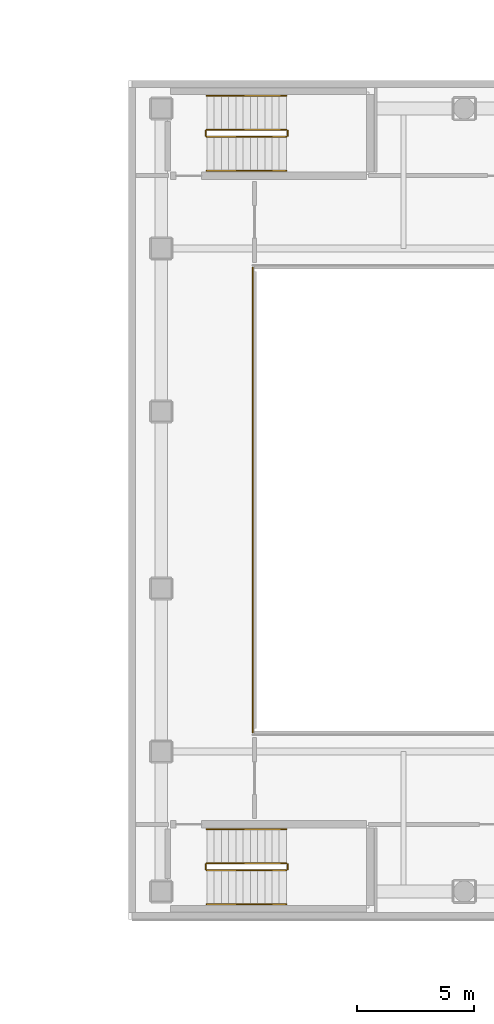
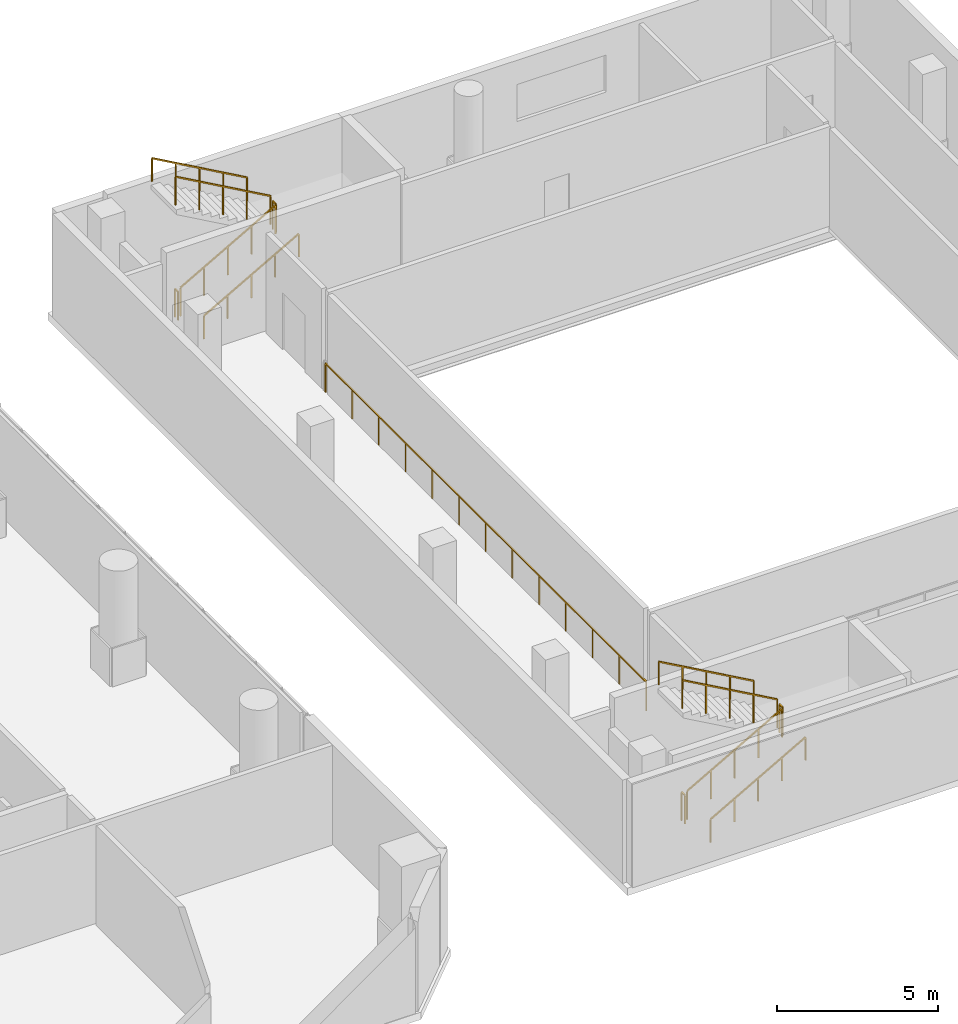
# One storey, part 21 of 22: 13 railings.
"""IFC4 building model written with IfcOpenShell, lengths in metres."""

import ifcopenshell
import ifcopenshell.guid

model = None  # the IFC model being written
_history = None  # IfcOwnerHistory: only IFC2X3 demands one
_inside = {}  # id of a spatial element -> (the spatial element, [elements in it])
_under = {}  # id of a project, library or spatial element -> (it, [spatial elements below it])
_declared = {}  # id of a project -> (the project, [libraries it declares])
_typed = {}  # id of a type object -> (the type object, [elements of that type])
_made_of = {}  # id of a material, layer set ... -> (it, [elements and type objects made of it])


def new_model(schema):
    """Start an empty IFC model of exactly this schema.

    Asked for "IFC4X3", IfcOpenShell would pick the latest addendum, in which some entities
    have other attributes; the version numbers below select the first issue.
    IFC2X3 requires an IfcOwnerHistory on every rooted entity: one is made here for all.
    """
    global model, _history
    if schema == "IFC4X3":
        model = ifcopenshell.file(schema_version=(4, 3, 0, 0))
    else:
        model = ifcopenshell.file(schema=schema)
    _inside.clear()
    _under.clear()
    _declared.clear()
    _typed.clear()
    _made_of.clear()
    _history = None
    if model.schema == "IFC2X3":
        org = make("IfcOrganization", Name="unknown")
        user = make(
            "IfcPersonAndOrganization",
            ThePerson=make("IfcPerson", FamilyName="unknown"),
            TheOrganization=org,
        )
        app = make(
            "IfcApplication",
            ApplicationDeveloper=org,
            Version="unknown",
            ApplicationFullName="unknown",
            ApplicationIdentifier="unknown",
        )
        _history = make(
            "IfcOwnerHistory",
            OwningUser=user,
            OwningApplication=app,
            ChangeAction="ADDED",
            CreationDate=0,
        )
    return model


def make(cls, **values):
    """One entity of the class cls with the attributes given. An attribute that is None is left unset."""
    return model.create_entity(
        cls, **{name: value for name, value in values.items() if value is not None}
    )


def rooted(cls, **values):
    """An entity with a GlobalId (a new one), such as an element, a storey or a relation."""
    return make(cls, GlobalId=ifcopenshell.guid.new(), OwnerHistory=_history, **values)


def si_unit(unit_type, name, prefix=None):
    """IfcSIUnit, for example si_unit("LENGTHUNIT", "METRE", prefix="MILLI")."""
    return make("IfcSIUnit", UnitType=unit_type, Prefix=prefix, Name=name)


def assignment(units):
    """IfcUnitAssignment: the units of a project."""
    return None if units is None else make("IfcUnitAssignment", Units=units)


def point(xyz):
    """IfcCartesianPoint."""
    return None if xyz is None else make("IfcCartesianPoint", Coordinates=xyz)


def direction(xyz):
    """IfcDirection."""
    return None if xyz is None else make("IfcDirection", DirectionRatios=xyz)


def frame(location, z_axis=None, x_axis=None):
    """IfcAxis2Placement3D, a coordinate frame: its origin and axes. An axis left out is left unset."""
    return make(
        "IfcAxis2Placement3D",
        Location=point(location),
        Axis=direction(z_axis),
        RefDirection=direction(x_axis),
    )


def frame_2d(location, x_axis=None):
    """IfcAxis2Placement2D, a coordinate frame in the plane: its origin and x axis."""
    return make(
        "IfcAxis2Placement2D", Location=point(location), RefDirection=direction(x_axis)
    )


def origin():
    """The frame at (0, 0, 0) with its axes left unset."""
    return frame((0.0, 0.0, 0.0))


def origin_2d():
    """The frame at (0, 0) in the plane with its x axis left unset."""
    return frame_2d((0.0, 0.0))


def place(relative_to, where):
    """IfcLocalPlacement: puts the frame where relative to a parent placement (None: the world)."""
    return make(
        "IfcLocalPlacement", PlacementRelTo=relative_to, RelativePlacement=where
    )


def context(
    kind, dimensions, precision=None, world=None, true_north=None, identifier=None
):
    """IfcGeometricRepresentationContext, for example the 3D "Model" context."""
    return make(
        "IfcGeometricRepresentationContext",
        ContextIdentifier=identifier,
        ContextType=kind,
        CoordinateSpaceDimension=dimensions,
        Precision=precision,
        WorldCoordinateSystem=world,
        TrueNorth=true_north,
    )


def subcontext(parent, identifier, kind, view, scale=None):
    """IfcGeometricRepresentationSubContext, for example "Body" below "Model"."""
    return make(
        "IfcGeometricRepresentationSubContext",
        ContextIdentifier=identifier,
        ContextType=kind,
        ParentContext=parent,
        TargetScale=scale,
        TargetView=view,
    )


def project(units=None, contexts=None):
    """IfcProject with its units and contexts."""
    return rooted(
        "IfcProject",
        Name="project",
        RepresentationContexts=contexts,
        UnitsInContext=assignment(units),
    )


def spatial(cls, under=None, at=None, **own):
    """A site, building, storey or space (cls), placed at a placement, below another one or the project."""
    s = rooted(cls, ObjectPlacement=at, **own)
    if under is not None:
        _under.setdefault(under.id(), (under, []))[1].append(s)
    return s


def profile(cls, at=None, kind="AREA", **sizes):
    """A parametric profile (cls). Its sizes go by their IFC names, for example OverallWidth=200.0."""
    return make(cls, ProfileType=kind, Position=at, **sizes)


def rectangle(**sizes):
    """IfcRectangleProfileDef."""
    return profile("IfcRectangleProfileDef", **sizes)


def extrude(swept, where, along, depth):
    """IfcExtrudedAreaSolid: the profile swept, set in the frame where, extruded along a direction by depth."""
    return make(
        "IfcExtrudedAreaSolid",
        SweptArea=swept,
        Position=where,
        ExtrudedDirection=direction(along),
        Depth=depth,
    )


def shape(context_of_items, identifier, shape_type, items):
    """IfcShapeRepresentation: the items that make up one representation, for example the "Body"."""
    return make(
        "IfcShapeRepresentation",
        ContextOfItems=context_of_items,
        RepresentationIdentifier=identifier,
        RepresentationType=shape_type,
        Items=items,
    )


def material(Name=None, Category=None):
    """IfcMaterial."""
    return make("IfcMaterial", Name=Name, Category=Category)


def made_of(thing, what):
    """Note that an element or type object is made of a material, layer set ...; save() writes the relation."""
    if what is not None:
        _made_of.setdefault(what.id(), (what, []))[1].append(thing)
    return thing


def type_object(cls, material=None, **own):
    """A type object (cls), such as IfcWallType, which elements share."""
    return made_of(rooted(cls, **own), material)


def element(
    cls,
    number,
    at=None,
    inside=None,
    cuts=None,
    type_object=None,
    material=None,
    context=None,
    identifier="Body",
    shape_type=None,
    held_by="IfcProductDefinitionShape",
    body=None,
    shapes=None,
    **own,
):
    """One element of the class cls, such as IfcWall. Its Tag is "e" and its number.

    at: its placement. inside: the storey or other place that contains it. cuts: it is an
    opening in that element (IfcRelVoidsElement). A single representation is given by context,
    identifier, shape_type and body (its items); several are given by shapes. held_by: the class
    of the entity that holds the representations. save() writes the other relations.
    """
    e = rooted(cls, Tag="e%d" % number, ObjectPlacement=at, **own)
    if body is not None:
        shapes = [shape(context, identifier, shape_type, body)]
    if shapes is not None:
        e.Representation = make(held_by, Representations=shapes)
    if inside is not None:
        _inside.setdefault(inside.id(), (inside, []))[1].append(e)
    if cuts is not None:
        rooted(
            "IfcRelVoidsElement", RelatingBuildingElement=cuts, RelatedOpeningElement=e
        )
    if type_object is not None:
        _typed.setdefault(type_object.id(), (type_object, []))[1].append(e)
    return made_of(e, material)


def aggregate(whole, parts):
    """IfcRelAggregates: a whole, such as a stair, and the parts it consists of."""
    return rooted("IfcRelAggregates", RelatingObject=whole, RelatedObjects=parts)


def save(model, path):
    """Write the relations noted so far, then the file.

    IfcRelAggregates (storeys below a building ...), IfcRelContainedInSpatialStructure (elements
    in a storey), IfcRelDefinesByType, IfcRelAssociatesMaterial and IfcRelDeclares: one each for
    every whole, place, type object, material and project.
    """
    for whole, parts in _under.values():
        aggregate(whole, parts)
    for where, things in _inside.values():
        rooted(
            "IfcRelContainedInSpatialStructure",
            RelatedElements=things,
            RelatingStructure=where,
        )
    for kind, things in _typed.values():
        rooted("IfcRelDefinesByType", RelatedObjects=things, RelatingType=kind)
    for what, things in _made_of.values():
        rooted("IfcRelAssociatesMaterial", RelatedObjects=things, RelatingMaterial=what)
    for by, libraries in _declared.values():
        rooted("IfcRelDeclares", RelatingContext=by, RelatedDefinitions=libraries)
    model.write(path)


model = new_model("IFC4")

# Units and contexts
model_context = context("Model", 3, precision=1e-05, world=origin(), true_north=direction((0.0, 1.0)))
body_context = subcontext(model_context, "Body", "Model", "MODEL_VIEW")
ifc_project = project(units=[si_unit("LENGTHUNIT", "METRE"), si_unit("AREAUNIT", "SQUARE_METRE"), si_unit("VOLUMEUNIT", "CUBIC_METRE"), si_unit("PLANEANGLEUNIT", "RADIAN"), si_unit("MASSUNIT", "GRAM", prefix="KILO")], contexts=[model_context])

# Site, building, storey
site_placement = place(None, origin())
site = spatial("IfcSite", under=ifc_project, at=site_placement, CompositionType="ELEMENT")
building_placement = place(site_placement, origin())
building = spatial("IfcBuilding", under=site, at=building_placement, Name="Solanera Arch Residences", CompositionType="ELEMENT")
storey_placement = place(building_placement, frame((0.0, 0.0, 13.60009765625)))
storey = spatial("IfcBuildingStorey", under=building, at=storey_placement, Name="L03", CompositionType="ELEMENT", Elevation=13.60009765625)

# Railings
ifc_material_1 = material(Name="Steel S355 (ASTM A992 / A572 Grade 50)", Category="steel")
railing_type_1 = type_object("IfcRailingType", Name="Balustrade Railing BL-1100", PredefinedType="BALUSTRADE", material=ifc_material_1)
railing_1_placement = place(storey_placement, frame((59.719970703125, 40.56005859375, 0.0)))
element("IfcRailing", 1, at=railing_1_placement, inside=storey, type_object=railing_type_1, Name="L03 Sports Hall Court Void Guardrail W 1", PredefinedType="BALUSTRADE", context=body_context, shape_type="SweptSolid", body=[
    extrude(rectangle(XDim=0.048095703125, YDim=0.048095703125, at=origin_2d()), frame((0.0, 0.0, 1.09619140625), z_axis=(0.0, -1.0, 0.0), x_axis=(1.0, 0.0, 0.0)), (0.0, 0.0, 1.0), 19.920166015625),
    extrude(rectangle(XDim=0.0419921875, YDim=0.0419921875, at=origin_2d()), origin(), (0.0, 0.0, 1.0), 1.072021484375),
    extrude(rectangle(XDim=0.0419921875, YDim=0.0419921875, at=origin_2d()), frame((0.0, -1.659912109375, 0.0)), (0.0, 0.0, 1.0), 1.072021484375),
    extrude(rectangle(XDim=0.0419921875, YDim=0.0419921875, at=origin_2d()), frame((0.0, -3.320068359375, 0.0)), (0.0, 0.0, 1.0), 1.072021484375),
    extrude(rectangle(XDim=0.0419921875, YDim=0.0419921875, at=origin_2d()), frame((0.0, -4.97998046875, 0.0)), (0.0, 0.0, 1.0), 1.072021484375),
    extrude(rectangle(XDim=0.0419921875, YDim=0.0419921875, at=origin_2d()), frame((0.0, -6.64013671875, 0.0)), (0.0, 0.0, 1.0), 1.072021484375),
    extrude(rectangle(XDim=0.0419921875, YDim=0.0419921875, at=origin_2d()), frame((0.0, -8.300048828125, 0.0)), (0.0, 0.0, 1.0), 1.072021484375),
    extrude(rectangle(XDim=0.0419921875, YDim=0.0419921875, at=origin_2d()), frame((0.0, -9.9599609375, 0.0)), (0.0, 0.0, 1.0), 1.072021484375),
    extrude(rectangle(XDim=0.0419921875, YDim=0.0419921875, at=origin_2d()), frame((0.0, -11.6201171875, 0.0)), (0.0, 0.0, 1.0), 1.072021484375),
    extrude(rectangle(XDim=0.0419921875, YDim=0.0419921875, at=origin_2d()), frame((0.0, -13.280029296875, 0.0)), (0.0, 0.0, 1.0), 1.072021484375),
    extrude(rectangle(XDim=0.0419921875, YDim=0.0419921875, at=origin_2d()), frame((0.0, -14.940185546875, 0.0)), (0.0, 0.0, 1.0), 1.072021484375),
    extrude(rectangle(XDim=0.0419921875, YDim=0.0419921875, at=origin_2d()), frame((0.0, -16.60009765625, 0.0)), (0.0, 0.0, 1.0), 1.072021484375),
    extrude(rectangle(XDim=0.0419921875, YDim=0.0419921875, at=origin_2d()), frame((0.0, -18.26025390625, 0.0)), (0.0, 0.0, 1.0), 1.072021484375),
    extrude(rectangle(XDim=0.0419921875, YDim=0.0419921875, at=origin_2d()), frame((0.0, -19.920166015625, 0.0)), (0.0, 0.0, 1.0), 1.072021484375),
])
ifc_material_2 = material(Name="Steel S355 (ASTM A992 / A572 Grade 50)", Category="steel")
railing_type_2 = type_object("IfcRailingType", Name="Stair Guardrail GR-1100", PredefinedType="GUARDRAIL", material=ifc_material_2)
railing_2_placement = place(storey_placement, frame((57.760009765625, 14.7099609375, 0.159912109375)))
element("IfcRailing", 2, at=railing_2_placement, inside=storey, type_object=railing_type_2, Name="L03 ST-H1 stair guard 1", PredefinedType="GUARDRAIL", context=body_context, shape_type="SweptSolid", body=[
    extrude(rectangle(XDim=0.048095703125, YDim=0.048095703125, at=origin_2d()), frame((0.0, 0.0, 1.076171875), z_axis=(0.87081354652, 0.0, 0.491613432685), x_axis=(0.0, 1.0, 0.0)), (0.0, 0.0, 1.0), 3.915771484375),
    extrude(rectangle(XDim=0.0419921875, YDim=0.0419921875, at=origin_2d()), origin(), (0.0, 0.0, 1.0), 1.052001953125),
    extrude(rectangle(XDim=0.0419921875, YDim=0.0419921875, at=origin_2d()), frame((0.8525390625, 0.0, 0.481201171875)), (0.0, 0.0, 1.0), 1.052001953125),
    extrude(rectangle(XDim=0.0419921875, YDim=0.0419921875, at=origin_2d()), frame((1.705078125, 0.0, 0.96240234375)), (0.0, 0.0, 1.0), 1.052001953125),
    extrude(rectangle(XDim=0.0419921875, YDim=0.0419921875, at=origin_2d()), frame((2.557373046875, 0.0, 1.44384765625)), (0.0, 0.0, 1.0), 1.052001953125),
    extrude(rectangle(XDim=0.0419921875, YDim=0.0419921875, at=origin_2d()), frame((3.409912109375, 0.0, 1.925048828125)), (0.0, 0.0, 1.0), 1.052001953125),
])
railing_3_placement = place(storey_placement, frame((61.219970703125, 14.760009765625, 2.0849609375)))
element("IfcRailing", 3, at=railing_3_placement, inside=storey, type_object=railing_type_2, Name="L03 ST-H1 stair guard 2", PredefinedType="GUARDRAIL", context=body_context, shape_type="SweptSolid", body=[
    extrude(rectangle(XDim=0.048095703125, YDim=0.048095703125, at=origin_2d()), frame((0.0, 0.0, 1.076171875), z_axis=(0.0, 1.0, 0.0), x_axis=(-1.0, 0.0, 0.0)), (0.0, 0.0, 1.0), 0.199951171875),
    extrude(rectangle(XDim=0.0419921875, YDim=0.0419921875, at=origin_2d()), origin(), (0.0, 0.0, 1.0), 1.052001953125),
    extrude(rectangle(XDim=0.0419921875, YDim=0.0419921875, at=origin_2d()), frame((0.0, 0.199951171875, 0.0)), (0.0, 0.0, 1.0), 1.052001953125),
])
railing_4_placement = place(storey_placement, frame((61.169921875, 15.010009765625, 2.260009765625)))
element("IfcRailing", 4, at=railing_4_placement, inside=storey, type_object=railing_type_2, Name="L03 ST-H1 stair guard 3", PredefinedType="GUARDRAIL", context=body_context, shape_type="SweptSolid", body=[
    extrude(rectangle(XDim=0.048095703125, YDim=0.048095703125, at=origin_2d()), frame((0.0, 0.0, 1.076171875), z_axis=(-0.870840237431, 0.0, 0.491566151064), x_axis=(0.0, -1.0, 0.0)), (0.0, 0.0, 1.0), 3.915771484375),
    extrude(rectangle(XDim=0.0419921875, YDim=0.0419921875, at=origin_2d()), origin(), (0.0, 0.0, 1.0), 1.052001953125),
    extrude(rectangle(XDim=0.0419921875, YDim=0.0419921875, at=origin_2d()), frame((-0.8525390625, 0.0, 0.481201171875)), (0.0, 0.0, 1.0), 1.052001953125),
    extrude(rectangle(XDim=0.0419921875, YDim=0.0419921875, at=origin_2d()), frame((-1.705078125, 0.0, 0.96240234375)), (0.0, 0.0, 1.0), 1.052001953125),
    extrude(rectangle(XDim=0.0419921875, YDim=0.0419921875, at=origin_2d()), frame((-2.557373046875, 0.0, 1.443603515625)), (0.0, 0.0, 1.0), 1.052001953125),
    extrude(rectangle(XDim=0.0419921875, YDim=0.0419921875, at=origin_2d()), frame((-3.409912109375, 0.0, 1.9248046875)), (0.0, 0.0, 1.0), 1.052001953125),
])
railing_5_placement = place(storey_placement, frame((57.7099609375, 14.760009765625, -0.01513671875)))
element("IfcRailing", 5, at=railing_5_placement, inside=storey, type_object=railing_type_2, Name="L03 ST-H1 stair guard 4", PredefinedType="GUARDRAIL", context=body_context, shape_type="SweptSolid", body=[
    extrude(rectangle(XDim=0.048095703125, YDim=0.048095703125, at=origin_2d()), frame((0.0, 0.0, 1.076171875), z_axis=(0.0, 1.0, 0.0), x_axis=(-1.0, 0.0, 0.0)), (0.0, 0.0, 1.0), 0.199951171875),
    extrude(rectangle(XDim=0.0419921875, YDim=0.0419921875, at=origin_2d()), origin(), (0.0, 0.0, 1.0), 1.052001953125),
    extrude(rectangle(XDim=0.0419921875, YDim=0.0419921875, at=origin_2d()), frame((0.0, 0.199951171875, 0.0)), (0.0, 0.0, 1.0), 1.052001953125),
])
railing_6_placement = place(storey_placement, frame((57.760009765625, 46.18994140625, 0.159912109375)))
element("IfcRailing", 6, at=railing_6_placement, inside=storey, type_object=railing_type_2, Name="L03 ST-H2 stair guard 1", PredefinedType="GUARDRAIL", context=body_context, shape_type="SweptSolid", body=[
    extrude(rectangle(XDim=0.048095703125, YDim=0.048095703125, at=origin_2d()), frame((0.0, 0.0, 1.076171875), z_axis=(0.87081354652, 0.0, 0.491613432685), x_axis=(0.0, 1.0, 0.0)), (0.0, 0.0, 1.0), 3.915771484375),
    extrude(rectangle(XDim=0.0419921875, YDim=0.0419921875, at=origin_2d()), origin(), (0.0, 0.0, 1.0), 1.052001953125),
    extrude(rectangle(XDim=0.0419921875, YDim=0.0419921875, at=origin_2d()), frame((0.8525390625, 0.0, 0.481201171875)), (0.0, 0.0, 1.0), 1.052001953125),
    extrude(rectangle(XDim=0.0419921875, YDim=0.0419921875, at=origin_2d()), frame((1.705078125, 0.0, 0.96240234375)), (0.0, 0.0, 1.0), 1.052001953125),
    extrude(rectangle(XDim=0.0419921875, YDim=0.0419921875, at=origin_2d()), frame((2.557373046875, 0.0, 1.44384765625)), (0.0, 0.0, 1.0), 1.052001953125),
    extrude(rectangle(XDim=0.0419921875, YDim=0.0419921875, at=origin_2d()), frame((3.409912109375, 0.0, 1.925048828125)), (0.0, 0.0, 1.0), 1.052001953125),
])
railing_7_placement = place(storey_placement, frame((61.219970703125, 46.239990234375, 2.0849609375)))
element("IfcRailing", 7, at=railing_7_placement, inside=storey, type_object=railing_type_2, Name="L03 ST-H2 stair guard 2", PredefinedType="GUARDRAIL", context=body_context, shape_type="SweptSolid", body=[
    extrude(rectangle(XDim=0.048095703125, YDim=0.048095703125, at=origin_2d()), frame((0.0, 0.0, 1.076171875), z_axis=(0.0, 1.0, 0.0), x_axis=(-1.0, 0.0, 0.0)), (0.0, 0.0, 1.0), 0.199951171875),
    extrude(rectangle(XDim=0.0419921875, YDim=0.0419921875, at=origin_2d()), origin(), (0.0, 0.0, 1.0), 1.052001953125),
    extrude(rectangle(XDim=0.0419921875, YDim=0.0419921875, at=origin_2d()), frame((0.0, 0.199951171875, 0.0)), (0.0, 0.0, 1.0), 1.052001953125),
])
railing_8_placement = place(storey_placement, frame((61.169921875, 46.489990234375, 2.260009765625)))
element("IfcRailing", 8, at=railing_8_placement, inside=storey, type_object=railing_type_2, Name="L03 ST-H2 stair guard 3", PredefinedType="GUARDRAIL", context=body_context, shape_type="SweptSolid", body=[
    extrude(rectangle(XDim=0.048095703125, YDim=0.048095703125, at=origin_2d()), frame((0.0, 0.0, 1.076171875), z_axis=(-0.870840237431, 0.0, 0.491566151064), x_axis=(0.0, -1.0, 0.0)), (0.0, 0.0, 1.0), 3.915771484375),
    extrude(rectangle(XDim=0.0419921875, YDim=0.0419921875, at=origin_2d()), origin(), (0.0, 0.0, 1.0), 1.052001953125),
    extrude(rectangle(XDim=0.0419921875, YDim=0.0419921875, at=origin_2d()), frame((-0.8525390625, 0.0, 0.481201171875)), (0.0, 0.0, 1.0), 1.052001953125),
    extrude(rectangle(XDim=0.0419921875, YDim=0.0419921875, at=origin_2d()), frame((-1.705078125, 0.0, 0.96240234375)), (0.0, 0.0, 1.0), 1.052001953125),
    extrude(rectangle(XDim=0.0419921875, YDim=0.0419921875, at=origin_2d()), frame((-2.557373046875, 0.0, 1.443603515625)), (0.0, 0.0, 1.0), 1.052001953125),
    extrude(rectangle(XDim=0.0419921875, YDim=0.0419921875, at=origin_2d()), frame((-3.409912109375, 0.0, 1.9248046875)), (0.0, 0.0, 1.0), 1.052001953125),
])
railing_9_placement = place(storey_placement, frame((57.7099609375, 46.239990234375, -0.01513671875)))
element("IfcRailing", 9, at=railing_9_placement, inside=storey, type_object=railing_type_2, Name="L03 ST-H2 stair guard 4", PredefinedType="GUARDRAIL", context=body_context, shape_type="SweptSolid", body=[
    extrude(rectangle(XDim=0.048095703125, YDim=0.048095703125, at=origin_2d()), frame((0.0, 0.0, 1.076171875), z_axis=(0.0, 1.0, 0.0), x_axis=(-1.0, 0.0, 0.0)), (0.0, 0.0, 1.0), 0.199951171875),
    extrude(rectangle(XDim=0.0419921875, YDim=0.0419921875, at=origin_2d()), origin(), (0.0, 0.0, 1.0), 1.052001953125),
    extrude(rectangle(XDim=0.0419921875, YDim=0.0419921875, at=origin_2d()), frame((0.0, 0.199951171875, 0.0)), (0.0, 0.0, 1.0), 1.052001953125),
])
ifc_material_3 = material(Name="Steel S355 (ASTM A992 / A572 Grade 50)", Category="steel")
railing_type_3 = type_object("IfcRailingType", Name="Stair Wall Handrail HR-920", PredefinedType="HANDRAIL", material=ifc_material_3)
railing_10_placement = place(storey_placement, frame((57.760009765625, 13.25, 0.1748046875)))
element("IfcRailing", 10, at=railing_10_placement, inside=storey, type_object=railing_type_3, Name="L03 ST-H1 stair handrail 1", PredefinedType="HANDRAIL", context=body_context, shape_type="SweptSolid", body=[
    extrude(rectangle(XDim=0.048095703125, YDim=0.048095703125, at=origin_2d()), frame((0.0, 0.0, 0.8759765625), z_axis=(0.87081354652, 0.0, 0.491613432685), x_axis=(0.0, 1.0, 0.0)), (0.0, 0.0, 1.0), 3.915771484375),
    extrude(rectangle(XDim=0.0419921875, YDim=0.0419921875, at=origin_2d()), origin(), (0.0, 0.0, 1.0), 0.851806640625),
    extrude(rectangle(XDim=0.0419921875, YDim=0.0419921875, at=origin_2d()), frame((0.8525390625, 0.0, 0.481201171875)), (0.0, 0.0, 1.0), 0.851806640625),
    extrude(rectangle(XDim=0.0419921875, YDim=0.0419921875, at=origin_2d()), frame((1.705078125, 0.0, 0.96240234375)), (0.0, 0.0, 1.0), 0.851806640625),
    extrude(rectangle(XDim=0.0419921875, YDim=0.0419921875, at=origin_2d()), frame((2.557373046875, 0.0, 1.44384765625)), (0.0, 0.0, 1.0), 0.851806640625),
    extrude(rectangle(XDim=0.0419921875, YDim=0.0419921875, at=origin_2d()), frame((3.409912109375, 0.0, 1.925048828125)), (0.0, 0.0, 1.0), 0.851806640625),
])
railing_11_placement = place(storey_placement, frame((61.169921875, 16.469970703125, 2.27490234375)))
element("IfcRailing", 11, at=railing_11_placement, inside=storey, type_object=railing_type_3, Name="L03 ST-H1 stair handrail 2", PredefinedType="HANDRAIL", context=body_context, shape_type="SweptSolid", body=[
    extrude(rectangle(XDim=0.048095703125, YDim=0.048095703125, at=origin_2d()), frame((0.0, 0.0, 0.8759765625), z_axis=(-0.87081354652, 0.0, 0.491613432685), x_axis=(0.0, -1.0, 0.0)), (0.0, 0.0, 1.0), 3.915771484375),
    extrude(rectangle(XDim=0.0419921875, YDim=0.0419921875, at=origin_2d()), origin(), (0.0, 0.0, 1.0), 0.851806640625),
    extrude(rectangle(XDim=0.0419921875, YDim=0.0419921875, at=origin_2d()), frame((-0.8525390625, 0.0, 0.481201171875)), (0.0, 0.0, 1.0), 0.851806640625),
    extrude(rectangle(XDim=0.0419921875, YDim=0.0419921875, at=origin_2d()), frame((-1.705078125, 0.0, 0.96240234375)), (0.0, 0.0, 1.0), 0.851806640625),
    extrude(rectangle(XDim=0.0419921875, YDim=0.0419921875, at=origin_2d()), frame((-2.557373046875, 0.0, 1.44384765625)), (0.0, 0.0, 1.0), 0.851806640625),
    extrude(rectangle(XDim=0.0419921875, YDim=0.0419921875, at=origin_2d()), frame((-3.409912109375, 0.0, 1.925048828125)), (0.0, 0.0, 1.0), 0.851806640625),
])
railing_12_placement = place(storey_placement, frame((57.760009765625, 44.72998046875, 0.1748046875)))
element("IfcRailing", 12, at=railing_12_placement, inside=storey, type_object=railing_type_3, Name="L03 ST-H2 stair handrail 1", PredefinedType="HANDRAIL", context=body_context, shape_type="SweptSolid", body=[
    extrude(rectangle(XDim=0.048095703125, YDim=0.048095703125, at=origin_2d()), frame((0.0, 0.0, 0.8759765625), z_axis=(0.87081354652, 0.0, 0.491613432685), x_axis=(0.0, 1.0, 0.0)), (0.0, 0.0, 1.0), 3.915771484375),
    extrude(rectangle(XDim=0.0419921875, YDim=0.0419921875, at=origin_2d()), origin(), (0.0, 0.0, 1.0), 0.851806640625),
    extrude(rectangle(XDim=0.0419921875, YDim=0.0419921875, at=origin_2d()), frame((0.8525390625, 0.0, 0.481201171875)), (0.0, 0.0, 1.0), 0.851806640625),
    extrude(rectangle(XDim=0.0419921875, YDim=0.0419921875, at=origin_2d()), frame((1.705078125, 0.0, 0.96240234375)), (0.0, 0.0, 1.0), 0.851806640625),
    extrude(rectangle(XDim=0.0419921875, YDim=0.0419921875, at=origin_2d()), frame((2.557373046875, 0.0, 1.44384765625)), (0.0, 0.0, 1.0), 0.851806640625),
    extrude(rectangle(XDim=0.0419921875, YDim=0.0419921875, at=origin_2d()), frame((3.409912109375, 0.0, 1.925048828125)), (0.0, 0.0, 1.0), 0.851806640625),
])
railing_13_placement = place(storey_placement, frame((61.169921875, 47.949951171875, 2.27490234375)))
element("IfcRailing", 13, at=railing_13_placement, inside=storey, type_object=railing_type_3, Name="L03 ST-H2 stair handrail 2", PredefinedType="HANDRAIL", context=body_context, shape_type="SweptSolid", body=[
    extrude(rectangle(XDim=0.048095703125, YDim=0.048095703125, at=origin_2d()), frame((0.0, 0.0, 0.8759765625), z_axis=(-0.87081354652, 0.0, 0.491613432685), x_axis=(0.0, -1.0, 0.0)), (0.0, 0.0, 1.0), 3.915771484375),
    extrude(rectangle(XDim=0.0419921875, YDim=0.0419921875, at=origin_2d()), origin(), (0.0, 0.0, 1.0), 0.851806640625),
    extrude(rectangle(XDim=0.0419921875, YDim=0.0419921875, at=origin_2d()), frame((-0.8525390625, 0.0, 0.481201171875)), (0.0, 0.0, 1.0), 0.851806640625),
    extrude(rectangle(XDim=0.0419921875, YDim=0.0419921875, at=origin_2d()), frame((-1.705078125, 0.0, 0.96240234375)), (0.0, 0.0, 1.0), 0.851806640625),
    extrude(rectangle(XDim=0.0419921875, YDim=0.0419921875, at=origin_2d()), frame((-2.557373046875, 0.0, 1.44384765625)), (0.0, 0.0, 1.0), 0.851806640625),
    extrude(rectangle(XDim=0.0419921875, YDim=0.0419921875, at=origin_2d()), frame((-3.409912109375, 0.0, 1.925048828125)), (0.0, 0.0, 1.0), 0.851806640625),
])

save(model, "model.ifc")
